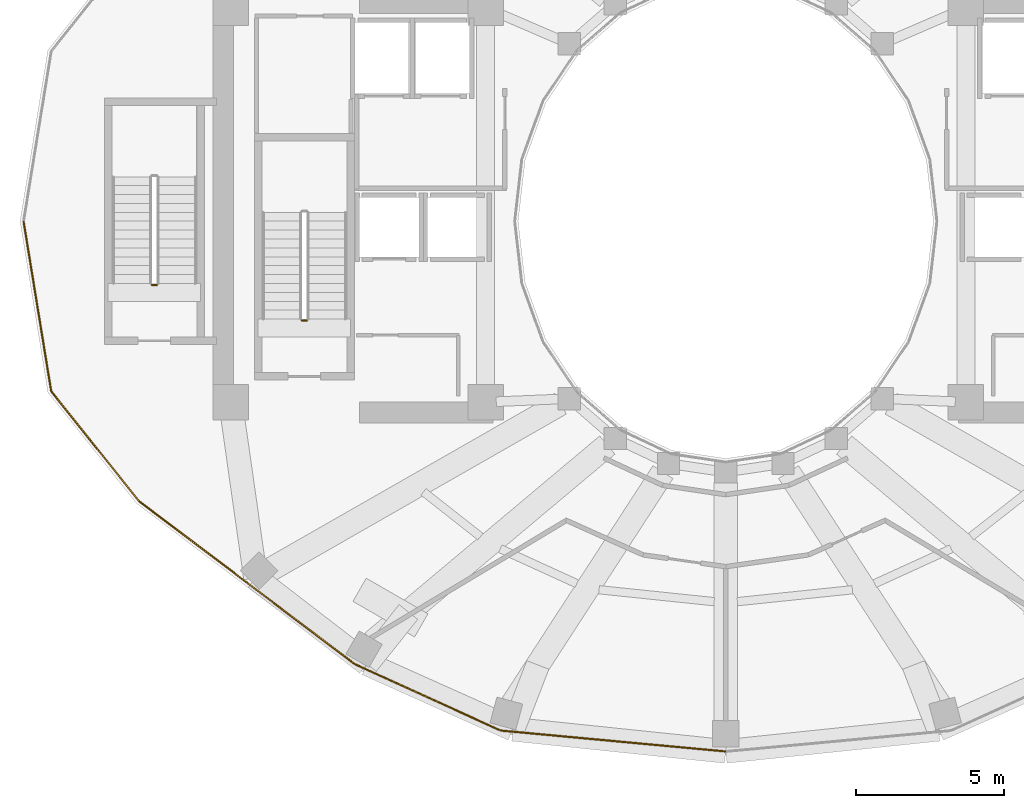
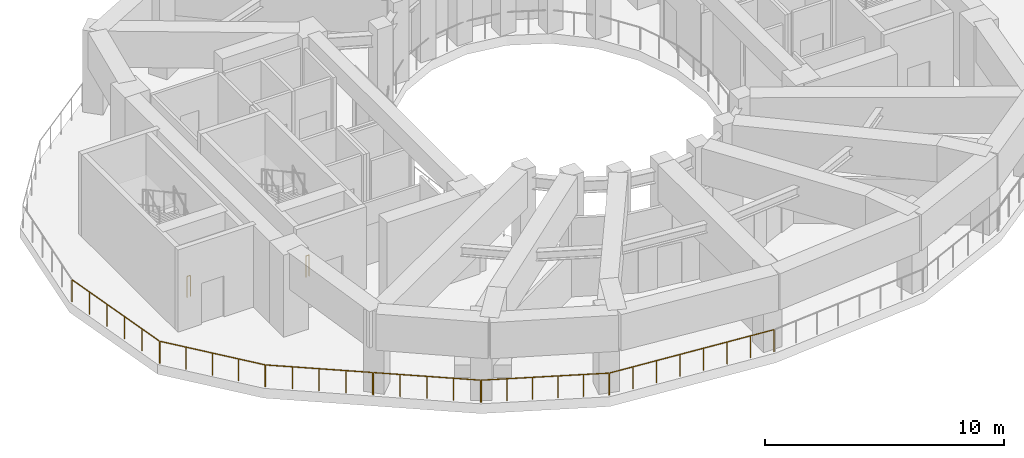
# One storey, part 5 of 9: 8 railings.
"""IFC4 building model written with IfcOpenShell, lengths in metres."""

from ifc_helpers import new_model, si_unit, direction, frame, origin, origin_2d, place, context, subcontext, project, spatial, circle, extrude, material, type_object, element, save


model = new_model("IFC4")

# Units and contexts
model_context = context("Model", 3, precision=1e-05, world=origin(), true_north=direction((0.0, 1.0)))
body_context = subcontext(model_context, "Body", "Model", "MODEL_VIEW")
ifc_project = project(units=[si_unit("LENGTHUNIT", "METRE"), si_unit("AREAUNIT", "SQUARE_METRE"), si_unit("VOLUMEUNIT", "CUBIC_METRE"), si_unit("PLANEANGLEUNIT", "RADIAN"), si_unit("MASSUNIT", "GRAM", prefix="KILO")], contexts=[model_context])

# Site, building, storey
site_placement = place(None, origin())
site = spatial("IfcSite", under=ifc_project, at=site_placement, CompositionType="ELEMENT")
building_placement = place(site_placement, origin())
building = spatial("IfcBuilding", under=site, at=building_placement, Name="Solvane Sanctuary Tower", CompositionType="ELEMENT")
storey_placement = place(building_placement, frame((0.0, 0.0, 133.199951171875)))
storey = spatial("IfcBuildingStorey", under=building, at=storey_placement, Name="L40", CompositionType="ELEMENT", Elevation=133.199951171875)

# Railings
ifc_material = material(Name="Architectural Stainless Steel 316", Category="steel")
railing_type = type_object("IfcRailingType", Name="Railing GR-BALC-1150", PredefinedType="BALUSTRADE", material=ifc_material)
railing_1_placement = place(storey_placement, frame((8.322265625, 22.980224609375, 0.0)))
element("IfcRailing", 1, at=railing_1_placement, inside=storey, type_object=railing_type, Name="L40 Open Void-Portal Perimeter Balustrade 12", PredefinedType="BALUSTRADE", context=body_context, shape_type="SweptSolid", body=[
    extrude(circle(Radius=0.02392578125, at=origin_2d()), frame((0.0, 0.0, 1.1259765625), z_axis=(0.16069766092, -0.987003678704, 0.0), x_axis=(0.987003678704, 0.16069766092, 0.0)), (0.0, 0.0, 1.0), 5.76708984375),
    extrude(circle(Radius=0.02099609375, at=origin_2d()), origin(), (0.0, 0.0, 1.0), 1.101806640625),
    extrude(circle(Radius=0.02099609375, at=origin_2d()), frame((0.185302734375, -1.138427734375, 0.0)), (0.0, 0.0, 1.0), 1.101806640625),
    extrude(circle(Radius=0.02099609375, at=origin_2d()), frame((0.37060546875, -2.27685546875, 0.0)), (0.0, 0.0, 1.0), 1.101806640625),
    extrude(circle(Radius=0.02099609375, at=origin_2d()), frame((0.55615234375, -3.415283203125, 0.0)), (0.0, 0.0, 1.0), 1.101806640625),
    extrude(circle(Radius=0.02099609375, at=origin_2d()), frame((0.741455078125, -4.5537109375, 0.0)), (0.0, 0.0, 1.0), 1.101806640625),
    extrude(circle(Radius=0.02099609375, at=origin_2d()), frame((0.9267578125, -5.692138671875, 0.0)), (0.0, 0.0, 1.0), 1.101806640625),
])
railing_2_placement = place(storey_placement, frame((9.2646484375, 17.252685546875, 0.0)))
element("IfcRailing", 2, at=railing_2_placement, inside=storey, type_object=railing_type, Name="L40 Open Void-Portal Perimeter Balustrade 13", PredefinedType="BALUSTRADE", context=body_context, shape_type="SweptSolid", body=[
    extrude(circle(Radius=0.02392578125, at=origin_2d()), frame((0.0, 0.0, 1.1259765625), z_axis=(0.624253147679, -0.781222124375, 0.0), x_axis=(0.781222124375, 0.624253147679, 0.0)), (0.0, 0.0, 1.0), 4.71728515625),
    extrude(circle(Radius=0.02099609375, at=origin_2d()), origin(), (0.0, 0.0, 1.0), 1.101806640625),
    extrude(circle(Radius=0.02099609375, at=origin_2d()), frame((0.736328125, -0.92138671875, 0.0)), (0.0, 0.0, 1.0), 1.101806640625),
    extrude(circle(Radius=0.02099609375, at=origin_2d()), frame((1.472412109375, -1.8427734375, 0.0)), (0.0, 0.0, 1.0), 1.101806640625),
    extrude(circle(Radius=0.02099609375, at=origin_2d()), frame((2.20849609375, -2.763916015625, 0.0)), (0.0, 0.0, 1.0), 1.101806640625),
    extrude(circle(Radius=0.02099609375, at=origin_2d()), frame((2.94482421875, -3.685302734375, 0.0)), (0.0, 0.0, 1.0), 1.101806640625),
])
railing_3_placement = place(storey_placement, frame((12.238037109375, 13.539794921875, 0.0)))
element("IfcRailing", 3, at=railing_3_placement, inside=storey, type_object=railing_type, Name="L40 Open Void-Portal Perimeter Balustrade 14", PredefinedType="BALUSTRADE", context=body_context, shape_type="SweptSolid", body=[
    extrude(circle(Radius=0.02392578125, at=origin_2d()), frame((0.0, 0.0, 1.1259765625), z_axis=(0.798328062735, -0.602222802832, 0.0), x_axis=(0.602222802832, 0.798328062735, 0.0)), (0.0, 0.0, 1.0), 4.51171875),
    extrude(circle(Radius=0.02099609375, at=origin_2d()), origin(), (0.0, 0.0, 1.0), 1.101806640625),
    extrude(circle(Radius=0.02099609375, at=origin_2d()), frame((0.900390625, -0.67919921875, 0.0)), (0.0, 0.0, 1.0), 1.101806640625),
    extrude(circle(Radius=0.02099609375, at=origin_2d()), frame((1.80078125, -1.3583984375, 0.0)), (0.0, 0.0, 1.0), 1.101806640625),
    extrude(circle(Radius=0.02099609375, at=origin_2d()), frame((2.701416015625, -2.037841796875, 0.0)), (0.0, 0.0, 1.0), 1.101806640625),
    extrude(circle(Radius=0.02099609375, at=origin_2d()), frame((3.601806640625, -2.717041015625, 0.0)), (0.0, 0.0, 1.0), 1.101806640625),
])
railing_4_placement = place(storey_placement, frame((15.871826171875, 10.798583984375, 0.0)))
element("IfcRailing", 4, at=railing_4_placement, inside=storey, type_object=railing_type, Name="L40 Open Void-Portal Perimeter Balustrade 15", PredefinedType="BALUSTRADE", context=body_context, shape_type="SweptSolid", body=[
    extrude(circle(Radius=0.02392578125, at=origin_2d()), frame((0.0, 0.0, 1.1259765625), z_axis=(0.797812361188, -0.602905827088, 0.0), x_axis=(0.602905827088, 0.797812361188, 0.0)), (0.0, 0.0, 1.0), 4.5107421875),
    extrude(circle(Radius=0.02099609375, at=origin_2d()), origin(), (0.0, 0.0, 1.0), 1.101806640625),
    extrude(circle(Radius=0.02099609375, at=origin_2d()), frame((0.899658203125, -0.679931640625, 0.0)), (0.0, 0.0, 1.0), 1.101806640625),
    extrude(circle(Radius=0.02099609375, at=origin_2d()), frame((1.79931640625, -1.35986328125, 0.0)), (0.0, 0.0, 1.0), 1.101806640625),
    extrude(circle(Radius=0.02099609375, at=origin_2d()), frame((2.698974609375, -2.03955078125, 0.0)), (0.0, 0.0, 1.0), 1.101806640625),
    extrude(circle(Radius=0.02099609375, at=origin_2d()), frame((3.5986328125, -2.719482421875, 0.0)), (0.0, 0.0, 1.0), 1.101806640625),
])
railing_5_placement = place(storey_placement, frame((19.504638671875, 8.05859375, 0.0)))
element("IfcRailing", 5, at=railing_5_placement, inside=storey, type_object=railing_type, Name="L40 Open Void-Portal Perimeter Balustrade 16", PredefinedType="BALUSTRADE", context=body_context, shape_type="SweptSolid", body=[
    extrude(circle(Radius=0.02392578125, at=origin_2d()), frame((0.0, 0.0, 1.1259765625), z_axis=(0.910029792136, -0.414542853544, 0.0), x_axis=(0.414542853544, 0.910029792136, 0.0)), (0.0, 0.0, 1.0), 5.36865234375),
    extrude(circle(Radius=0.02099609375, at=origin_2d()), origin(), (0.0, 0.0, 1.0), 1.101806640625),
    extrude(circle(Radius=0.02099609375, at=origin_2d()), frame((0.97705078125, -0.445068359375, 0.0)), (0.0, 0.0, 1.0), 1.101806640625),
    extrude(circle(Radius=0.02099609375, at=origin_2d()), frame((1.954345703125, -0.89013671875, 0.0)), (0.0, 0.0, 1.0), 1.101806640625),
    extrude(circle(Radius=0.02099609375, at=origin_2d()), frame((2.931396484375, -1.33544921875, 0.0)), (0.0, 0.0, 1.0), 1.101806640625),
    extrude(circle(Radius=0.02099609375, at=origin_2d()), frame((3.90869140625, -1.780517578125, 0.0)), (0.0, 0.0, 1.0), 1.101806640625),
    extrude(circle(Radius=0.02099609375, at=origin_2d()), frame((4.8857421875, -2.2255859375, 0.0)), (0.0, 0.0, 1.0), 1.101806640625),
])
railing_6_placement = place(storey_placement, frame((24.428466796875, 5.82275390625, 0.0)))
element("IfcRailing", 6, at=railing_6_placement, inside=storey, type_object=railing_type, Name="L40 Open Void-Portal Perimeter Balustrade 17", PredefinedType="BALUSTRADE", context=body_context, shape_type="SweptSolid", body=[
    extrude(circle(Radius=0.02392578125, at=origin_2d()), frame((0.0, 0.0, 1.1259765625), z_axis=(0.995719906533, -0.092422225329, 0.0), x_axis=(0.092422225329, 0.995719906533, 0.0)), (0.0, 0.0, 1.0), 7.583984375),
    extrude(circle(Radius=0.02099609375, at=origin_2d()), origin(), (0.0, 0.0, 1.0), 1.101806640625),
    extrude(circle(Radius=0.02099609375, at=origin_2d()), frame((1.078857421875, -0.10009765625, 0.0)), (0.0, 0.0, 1.0), 1.101806640625),
    extrude(circle(Radius=0.02099609375, at=origin_2d()), frame((2.157470703125, -0.2001953125, 0.0)), (0.0, 0.0, 1.0), 1.101806640625),
    extrude(circle(Radius=0.02099609375, at=origin_2d()), frame((3.236328125, -0.30029296875, 0.0)), (0.0, 0.0, 1.0), 1.101806640625),
    extrude(circle(Radius=0.02099609375, at=origin_2d()), frame((4.315185546875, -0.400634765625, 0.0)), (0.0, 0.0, 1.0), 1.101806640625),
    extrude(circle(Radius=0.02099609375, at=origin_2d()), frame((5.39404296875, -0.500732421875, 0.0)), (0.0, 0.0, 1.0), 1.101806640625),
    extrude(circle(Radius=0.02099609375, at=origin_2d()), frame((6.47265625, -0.600830078125, 0.0)), (0.0, 0.0, 1.0), 1.101806640625),
    extrude(circle(Radius=0.02099609375, at=origin_2d()), frame((7.551513671875, -0.700927734375, 0.0)), (0.0, 0.0, 1.0), 1.101806640625),
])
for number, where, name in (
    (7, (17.8701171875, 19.64990234375, 0.0), "L40 ST-1 stair guard 4"),
    (8, (12.81005859375, 20.85009765625, 0.0), "L40 ST-3 stair guard 4"),
):
    element("IfcRailing", number, at=place(storey_placement, frame(where)), inside=storey, type_object=railing_type, Name=name, PredefinedType="BALUSTRADE", context=body_context, shape_type="SweptSolid", body=[
        extrude(circle(Radius=0.02392578125, at=origin_2d()), frame((0.0, 0.0, 1.076171875), z_axis=(-1.0, 0.0, 0.0), x_axis=(0.0, -1.0, 0.0)), (0.0, 0.0, 1.0), 0.16015625),
        extrude(circle(Radius=0.02099609375, at=origin_2d()), origin(), (0.0, 0.0, 1.0), 1.052001953125),
        extrude(circle(Radius=0.02099609375, at=origin_2d()), frame((-0.16015625, 0.0, 0.0)), (0.0, 0.0, 1.0), 1.052001953125),
    ])

save(model, "model.ifc")
